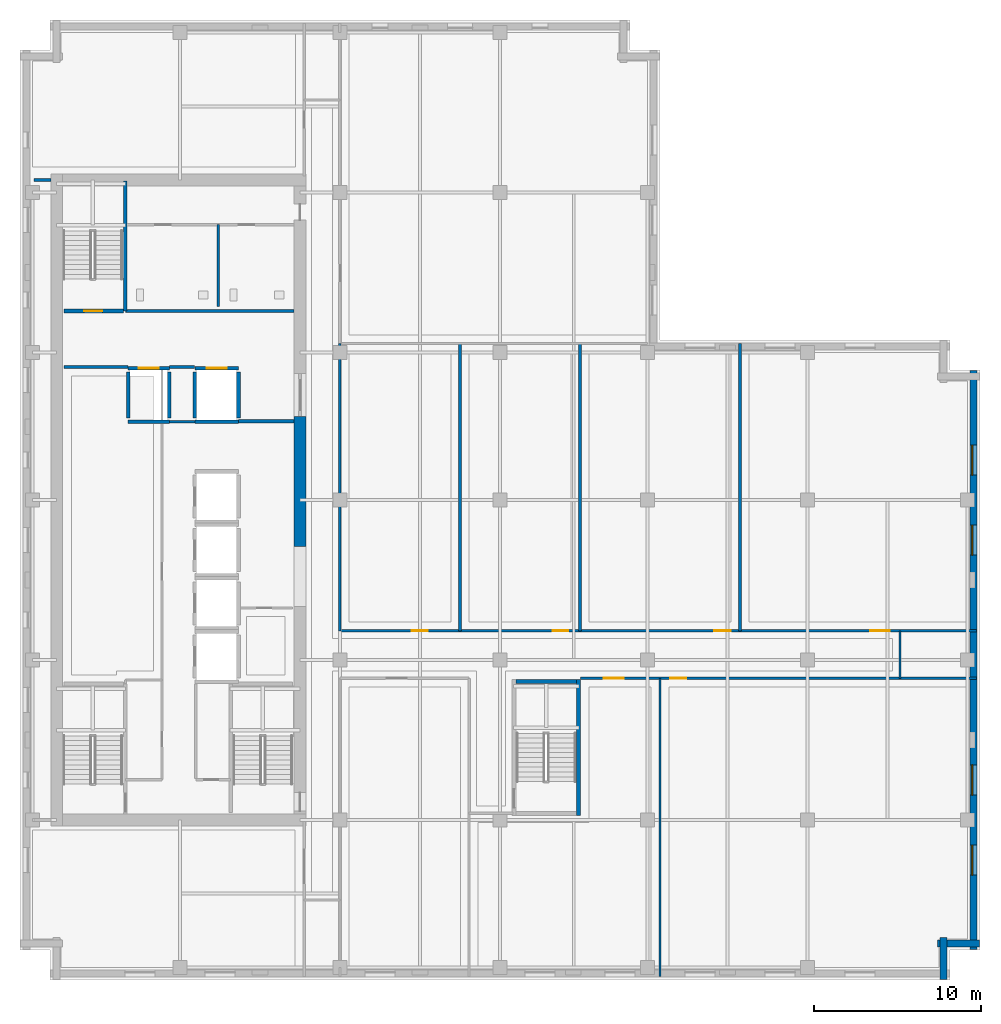
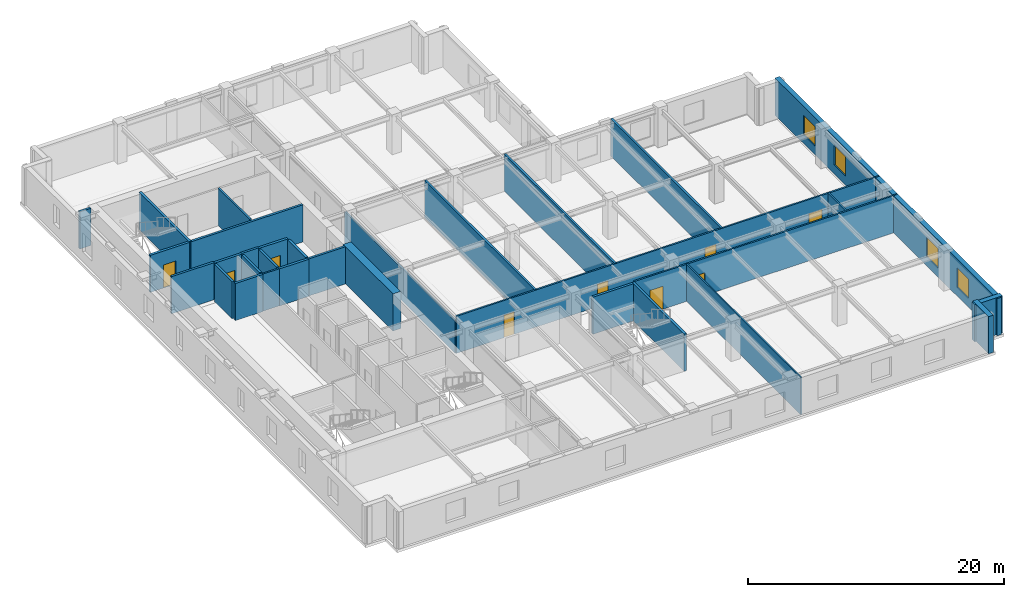
# One storey, part 5 of 11: 31 walls, 9 doors, 4 windows, 13 openings.
"""IFC4 building model written with IfcOpenShell, lengths in metres."""

from ifc_helpers import new_model, si_unit, direction, frame, frame_2d, origin, place, context, subcontext, project, spatial, rectangle, extrude, material, layer, layer_set, type_object, element, fill, save


model = new_model("IFC4")

# Units and contexts
model_context = context("Model", 3, precision=1e-05, world=origin(), true_north=direction((0.0, 1.0)))
body_context = subcontext(model_context, "Body", "Model", "MODEL_VIEW")
ifc_project = project(units=[si_unit("LENGTHUNIT", "METRE"), si_unit("AREAUNIT", "SQUARE_METRE"), si_unit("VOLUMEUNIT", "CUBIC_METRE"), si_unit("PLANEANGLEUNIT", "RADIAN"), si_unit("MASSUNIT", "GRAM", prefix="KILO")], contexts=[model_context])

# Site, building, storey
site_placement = place(None, origin())
site = spatial("IfcSite", under=ifc_project, at=site_placement, CompositionType="ELEMENT")
building_placement = place(site_placement, origin())
building = spatial("IfcBuilding", under=site, at=building_placement, Name="Norrvale University Quadrangle", CompositionType="ELEMENT")
storey_placement = place(building_placement, frame((0.0, 0.0, 210.39990234375)))
storey = spatial("IfcBuildingStorey", under=building, at=storey_placement, Name="L53", CompositionType="ELEMENT", Elevation=210.39990234375)

# Walls
ifc_material_1 = material(Name="Buff Norman Clay Brick Masonry", Category="masonry")
ifc_layer_1 = layer(ifc_material_1, 0.419921875, Name="Buff Norman Clay Brick Masonry")
ifc_layer_set_1 = layer_set([ifc_layer_1], Name="Buff Norman Clay Brick Masonry")
wall_type_1 = type_object("IfcWallType", Name="Wall Buff Brick 420", PredefinedType="SOLIDWALL", material=ifc_layer_set_1)
for number, where, z_axis, x_axis, name in (
    (1, (55.409912109375, 0.0400390625, 0.0), (0.0, 0.0, 1.0), (0.0, 1.0, 0.0), "Exterior Brick Facade Wall L53-02.1"),
    (2, (55.06005859375, 2.18994140625, 0.0), (0.0, 0.0, 1.0), (1.0, 0.0, 0.0), "Exterior Brick Facade Wall L53-03.1"),
):
    element("IfcWall", number, at=place(storey_placement, frame(where, z_axis=z_axis, x_axis=x_axis)), inside=storey, type_object=wall_type_1, Name=name, PredefinedType="SOLIDWALL", context=body_context, shape_type="SweptSolid", body=[
        extrude(rectangle(XDim=2.5, YDim=0.419921875, at=frame_2d((1.25, 0.0))), origin(), (0.0, 0.0, 1.0), 3.5400390625),
    ])

# Wall, openings, windows
wall_1_placement = place(storey_placement, frame((57.2099609375, 1.840087890625, 0.0), z_axis=(0.0, 0.0, 1.0), x_axis=(0.0, 1.0, 0.0)))
wall_1 = element("IfcWall", 3, at=wall_1_placement, inside=storey, type_object=wall_type_1, Name="Exterior Brick Facade Wall L53-04.1", PredefinedType="SOLIDWALL", context=body_context, shape_type="SweptSolid", body=[
    extrude(rectangle(XDim=34.719970703125, YDim=0.419921875, at=frame_2d((17.35986328125, 0.0))), origin(), (0.0, 0.0, 1.0), 3.5400390625),
])
opening_1_placement = place(wall_1_placement, frame((4.4599609375, 0.0, 0.85009765625)))
opening_1 = element("IfcOpeningElement", 4, at=opening_1_placement, cuts=wall_1, Name="Opening W01", PredefinedType="OPENING", context=body_context, shape_type="SweptSolid", body=[
    extrude(rectangle(XDim=1.800048828125, YDim=1.85009765625, at=frame_2d((0.89990234375, 0.925048828125))), frame((0.0, 0.221923828125, 0.0), z_axis=(0.0, -1.0, 0.0), x_axis=(1.0, 0.0, 0.0)), (0.0, 0.0, 1.0), 0.44384765625),
])
opening_2_placement = place(wall_1_placement, frame((9.260009765625, 0.0, 0.85009765625)))
opening_2 = element("IfcOpeningElement", 5, at=opening_2_placement, cuts=wall_1, Name="Opening W01", PredefinedType="OPENING", context=body_context, shape_type="SweptSolid", body=[
    extrude(rectangle(XDim=1.800048828125, YDim=1.85009765625, at=frame_2d((0.89990234375, 0.925048828125))), frame((0.0, 0.221923828125, 0.0), z_axis=(0.0, -1.0, 0.0), x_axis=(1.0, 0.0, 0.0)), (0.0, 0.0, 1.0), 0.44384765625),
])
opening_3_placement = place(wall_1_placement, frame((23.659912109375, 0.0, 0.85009765625)))
opening_3 = element("IfcOpeningElement", 6, at=opening_3_placement, cuts=wall_1, Name="Opening W01", PredefinedType="OPENING", context=body_context, shape_type="SweptSolid", body=[
    extrude(rectangle(XDim=1.800048828125, YDim=1.85009765625, at=frame_2d((0.89990234375, 0.925048828125))), frame((0.0, 0.221923828125, 0.0), z_axis=(0.0, -1.0, 0.0), x_axis=(1.0, 0.0, 0.0)), (0.0, 0.0, 1.0), 0.44384765625),
])
opening_4_placement = place(wall_1_placement, frame((28.4599609375, 0.0, 0.85009765625)))
opening_4 = element("IfcOpeningElement", 7, at=opening_4_placement, cuts=wall_1, Name="Opening W01", PredefinedType="OPENING", context=body_context, shape_type="SweptSolid", body=[
    extrude(rectangle(XDim=1.800048828125, YDim=1.85009765625, at=frame_2d((0.89990234375, 0.925048828125))), frame((0.0, 0.221923828125, 0.0), z_axis=(0.0, -1.0, 0.0), x_axis=(1.0, 0.0, 0.0)), (0.0, 0.0, 1.0), 0.44384765625),
])
ifc_material_2 = material(Name="Triple Low-E Argon Glazing", Category="glass")
window_type = type_object("IfcWindowType", Name="Window Academic 1800x2300", PartitioningType="DOUBLE_PANEL_VERTICAL", PredefinedType="WINDOW", material=ifc_material_2)
window_1_placement = place(opening_1_placement, origin())
window_1 = element("IfcWindow", 8, at=window_1_placement, inside=storey, type_object=window_type, Name="Window Academic 1800x2300 WIN-L53-E04-1-01", OverallHeight=1.85009765625, OverallWidth=1.800048828125, PartitioningType="DOUBLE_PANEL_VERTICAL", PredefinedType="WINDOW", context=body_context, shape_type="SweptSolid", body=[
    extrude(rectangle(XDim=1.800048828125, YDim=1.85009765625, at=frame_2d((0.89990234375, 0.925048828125))), frame((0.0, 0.110107421875, 0.0), z_axis=(0.0, -1.0, 0.0), x_axis=(1.0, 0.0, 0.0)), (0.0, 0.0, 1.0), 0.06005859375),
])
fill(opening_1, window_1)
window_2_placement = place(opening_2_placement, origin())
window_2 = element("IfcWindow", 9, at=window_2_placement, inside=storey, type_object=window_type, Name="Window Academic 1800x2300 WIN-L53-E04-1-02", OverallHeight=1.85009765625, OverallWidth=1.800048828125, PartitioningType="DOUBLE_PANEL_VERTICAL", PredefinedType="WINDOW", context=body_context, shape_type="SweptSolid", body=[
    extrude(rectangle(XDim=1.800048828125, YDim=1.85009765625, at=frame_2d((0.89990234375, 0.925048828125))), frame((0.0, 0.110107421875, 0.0), z_axis=(0.0, -1.0, 0.0), x_axis=(1.0, 0.0, 0.0)), (0.0, 0.0, 1.0), 0.06005859375),
])
fill(opening_2, window_2)
window_3_placement = place(opening_3_placement, origin())
window_3 = element("IfcWindow", 10, at=window_3_placement, inside=storey, type_object=window_type, Name="Window Academic 1800x2300 WIN-L53-E04-1-03", OverallHeight=1.85009765625, OverallWidth=1.800048828125, PartitioningType="DOUBLE_PANEL_VERTICAL", PredefinedType="WINDOW", context=body_context, shape_type="SweptSolid", body=[
    extrude(rectangle(XDim=1.800048828125, YDim=1.85009765625, at=frame_2d((0.89990234375, 0.925048828125))), frame((0.0, 0.110107421875, 0.0), z_axis=(0.0, -1.0, 0.0), x_axis=(1.0, 0.0, 0.0)), (0.0, 0.0, 1.0), 0.06005859375),
])
fill(opening_3, window_3)
window_4_placement = place(opening_4_placement, origin())
window_4 = element("IfcWindow", 11, at=window_4_placement, inside=storey, type_object=window_type, Name="Window Academic 1800x2300 WIN-L53-E04-1-04", OverallHeight=1.85009765625, OverallWidth=1.800048828125, PartitioningType="DOUBLE_PANEL_VERTICAL", PredefinedType="WINDOW", context=body_context, shape_type="SweptSolid", body=[
    extrude(rectangle(XDim=1.800048828125, YDim=1.85009765625, at=frame_2d((0.89990234375, 0.925048828125))), frame((0.0, 0.110107421875, 0.0), z_axis=(0.0, -1.0, 0.0), x_axis=(1.0, 0.0, 0.0)), (0.0, 0.0, 1.0), 0.06005859375),
])
fill(opening_4, window_4)

# Walls
ifc_material_3 = material(Name="Concrete C60/75", Category="concrete")
ifc_layer_2 = layer(ifc_material_3, 0.699951171875, Name="Concrete C60/75")
ifc_layer_set_2 = layer_set([ifc_layer_2], Name="Concrete C60/75")
wall_type_2 = type_object("IfcWallType", Name="Wall Core 700", PredefinedType="SHEAR", material=ifc_layer_set_2)
wall_2_placement = place(storey_placement, frame((16.800048828125, 26.0, 0.0), z_axis=(0.0, 0.0, 1.0), x_axis=(0.0, 1.0, 0.0)))
element("IfcWall", 12, at=wall_2_placement, inside=storey, type_object=wall_type_2, Name="Tower Core Shear Wall L53-E2", PredefinedType="SHEAR", context=body_context, shape_type="SweptSolid", body=[
    extrude(rectangle(XDim=7.800048828125, YDim=0.699951171875, at=frame_2d((3.89990234375, 0.0))), origin(), (0.0, 0.0, 1.0), 3.5400390625),
])
ifc_material_4 = material(Name="Standard Academic Gypsum Partition")
ifc_layer_3 = layer(ifc_material_4, 0.125, Name="Standard Academic Gypsum Partition")
ifc_layer_set_3 = layer_set([ifc_layer_3], Name="Standard Academic Gypsum Partition")
wall_type_3 = type_object("IfcWallType", Name="Wall Gypsum Academic 125", PredefinedType="PARTITIONING", material=ifc_layer_set_3)
wall_3_placement = place(storey_placement, frame((38.39990234375, 0.219970703125, 0.0), z_axis=(0.0, 0.0, 1.0), x_axis=(0.0, 1.0, 0.0)))
element("IfcWall", 13, at=wall_3_placement, inside=storey, type_object=wall_type_3, Name="Interior Partition WL-L53-SEP2", PredefinedType="PARTITIONING", context=body_context, shape_type="SweptSolid", body=[
    extrude(rectangle(XDim=17.880126953125, YDim=0.125, at=frame_2d((8.93994140625, 0.0))), origin(), (0.0, 0.0, 1.0), 3.5400390625),
])
ifc_material_5 = material(Name="Fire-Rated Gypsum Stud Partition")
ifc_layer_4 = layer(ifc_material_5, 0.14990234375, Name="Fire-Rated Gypsum Stud Partition")
ifc_layer_set_4 = layer_set([ifc_layer_4], Name="Fire-Rated Gypsum Stud Partition")
wall_type_4 = type_object("IfcWallType", Name="Wall Gypsum Corridor 150", PredefinedType="PARTITIONING", material=ifc_layer_set_4)
wall_4_placement = place(storey_placement, frame((8.965087890625, 33.489990234375, 0.0), z_axis=(0.0, 0.0, 1.0), x_axis=(1.0, 0.0, 0.0)))
element("IfcWall", 14, at=wall_4_placement, inside=storey, type_object=wall_type_4, Name="Interior Partition WL-L53-LL3", PredefinedType="PARTITIONING", context=body_context, shape_type="SweptSolid", body=[
    extrude(rectangle(XDim=1.52001953125, YDim=0.14990234375, at=frame_2d((0.760009765625, 0.0))), origin(), (0.0, 0.0, 1.0), 3.5400390625),
])
wall_5_placement = place(storey_placement, frame((52.800048828125, 18.10009765625, 0.0), z_axis=(0.0, 0.0, 1.0), x_axis=(0.0, 1.0, 0.0)))
element("IfcWall", 15, at=wall_5_placement, inside=storey, type_object=wall_type_4, Name="Interior Partition WL-L53-CESP-E", PredefinedType="PARTITIONING", context=body_context, shape_type="SweptSolid", body=[
    extrude(rectangle(XDim=2.849853515625, YDim=0.14990234375, at=frame_2d((1.4248046875, 0.0))), origin(), (0.0, 0.0, 1.0), 3.5400390625),
])

# Wall, openings, doors
wall_6_placement = place(storey_placement, frame((33.6201171875, 18.10009765625, 0.0), z_axis=(0.0, 0.0, 1.0), x_axis=(1.0, 0.0, 0.0)))
wall_6 = element("IfcWall", 16, at=wall_6_placement, inside=storey, type_object=wall_type_4, Name="Interior Partition WL-L53-SEW2", PredefinedType="PARTITIONING", context=body_context, shape_type="SweptSolid", body=[
    extrude(rectangle(XDim=23.759765625, YDim=0.14990234375, at=frame_2d((11.8798828125, 0.0))), origin(), (0.0, 0.0, 1.0), 3.5400390625),
])
opening_5_placement = place(wall_6_placement, frame((1.39990234375, 0.0, 0.0)))
opening_5 = element("IfcOpeningElement", 17, at=opening_5_placement, cuts=wall_6, Name="Opening D05", PredefinedType="OPENING", context=body_context, shape_type="SweptSolid", body=[
    extrude(rectangle(XDim=1.199951171875, YDim=2.199951171875, at=frame_2d((0.60009765625, 1.10009765625))), frame((0.0, 0.0869140625, 0.0), z_axis=(0.0, -1.0, 0.0), x_axis=(1.0, 0.0, 0.0)), (0.0, 0.0, 1.0), 0.173828125),
])
opening_6_placement = place(wall_6_placement, frame((5.39990234375, 0.0, 0.0)))
opening_6 = element("IfcOpeningElement", 18, at=opening_6_placement, cuts=wall_6, Name="Opening D07", PredefinedType="OPENING", context=body_context, shape_type="SweptSolid", body=[
    extrude(rectangle(XDim=0.949951171875, YDim=2.14990234375, at=frame_2d((0.47509765625, 1.074951171875))), frame((0.0, 0.0869140625, 0.0), z_axis=(0.0, -1.0, 0.0), x_axis=(1.0, 0.0, 0.0)), (0.0, 0.0, 1.0), 0.173828125),
])
ifc_material_6 = material(Name="Acoustic Oak Classroom Door", Category="wood")
door_type_1 = type_object("IfcDoorType", Name="Door Classroom 1200x2200", OperationType="NOTDEFINED", PredefinedType="DOOR", material=ifc_material_6)
door_1_placement = place(opening_5_placement, origin())
door_1 = element("IfcDoor", 19, at=door_1_placement, inside=storey, type_object=door_type_1, Name="Door Classroom 1200x2200 DR-L53-SE2", OperationType="SINGLE_SWING_RIGHT", OverallHeight=2.199951171875, OverallWidth=1.199951171875, PredefinedType="DOOR", context=body_context, shape_type="SweptSolid", body=[
    extrude(rectangle(XDim=1.199951171875, YDim=2.199951171875, at=frame_2d((0.60009765625, 1.10009765625))), frame((0.0, 0.02490234375, 0.0), z_axis=(0.0, -1.0, 0.0), x_axis=(1.0, 0.0, 0.0)), (0.0, 0.0, 1.0), 0.050048828125),
])
fill(opening_5, door_1)
ifc_material_7 = material(Name="Solid-Core Maple Door", Category="wood")
door_type_2 = type_object("IfcDoorType", Name="Door Office 950x2150", OperationType="NOTDEFINED", PredefinedType="DOOR", material=ifc_material_7)
door_2_placement = place(opening_6_placement, origin())
door_2 = element("IfcDoor", 20, at=door_2_placement, inside=storey, type_object=door_type_2, Name="Door Office 950x2150 DR-L53-SE3", OperationType="SINGLE_SWING_LEFT", OverallHeight=2.14990234375, OverallWidth=0.949951171875, PredefinedType="DOOR", context=body_context, shape_type="SweptSolid", body=[
    extrude(rectangle(XDim=0.949951171875, YDim=2.14990234375, at=frame_2d((0.47509765625, 1.074951171875))), frame((0.0, 0.02490234375, 0.0), z_axis=(0.0, -1.0, 0.0), x_axis=(1.0, 0.0, 0.0)), (0.0, 0.0, 1.0), 0.050048828125),
])
fill(opening_6, door_2)

wall_7_placement = place(storey_placement, frame((19.199951171875, 20.949951171875, 0.0), z_axis=(0.0, 0.0, 1.0), x_axis=(1.0, 0.0, 0.0)))
wall_7 = element("IfcWall", 21, at=wall_7_placement, inside=storey, type_object=wall_type_4, Name="Interior Partition WL-L53-MECW", PredefinedType="PARTITIONING", context=body_context, shape_type="SweptSolid", body=[
    extrude(rectangle(XDim=38.179931640625, YDim=0.14990234375, at=frame_2d((19.08984375, 0.0))), origin(), (0.0, 0.0, 1.0), 3.5400390625),
])
opening_7_placement = place(wall_7_placement, frame((4.300048828125, 0.0, 0.0)))
opening_7 = element("IfcOpeningElement", 22, at=opening_7_placement, cuts=wall_7, Name="Opening D07", PredefinedType="OPENING", context=body_context, shape_type="SweptSolid", body=[
    extrude(rectangle(XDim=0.949951171875, YDim=2.14990234375, at=frame_2d((0.47509765625, 1.074951171875))), frame((0.0, 0.0869140625, 0.0), z_axis=(0.0, -1.0, 0.0), x_axis=(1.0, 0.0, 0.0)), (0.0, 0.0, 1.0), 0.173828125),
])
opening_8_placement = place(wall_7_placement, frame((12.75, 0.0, 0.0)))
opening_8 = element("IfcOpeningElement", 23, at=opening_8_placement, cuts=wall_7, Name="Opening D07", PredefinedType="OPENING", context=body_context, shape_type="SweptSolid", body=[
    extrude(rectangle(XDim=0.949951171875, YDim=2.14990234375, at=frame_2d((0.47509765625, 1.074951171875))), frame((0.0, 0.0869140625, 0.0), z_axis=(0.0, -1.0, 0.0), x_axis=(1.0, 0.0, 0.0)), (0.0, 0.0, 1.0), 0.173828125),
])
opening_9_placement = place(wall_7_placement, frame((22.449951171875, 0.0, 0.0)))
opening_9 = element("IfcOpeningElement", 24, at=opening_9_placement, cuts=wall_7, Name="Opening D04", PredefinedType="OPENING", context=body_context, shape_type="SweptSolid", body=[
    extrude(rectangle(XDim=1.0, YDim=2.199951171875, at=frame_2d((0.5, 1.10009765625))), frame((0.0, 0.0869140625, 0.0), z_axis=(0.0, -1.0, 0.0), x_axis=(1.0, 0.0, 0.0)), (0.0, 0.0, 1.0), 0.173828125),
])
opening_10_placement = place(wall_7_placement, frame((31.800048828125, 0.0, 0.0)))
opening_10 = element("IfcOpeningElement", 25, at=opening_10_placement, cuts=wall_7, Name="Opening D05", PredefinedType="OPENING", context=body_context, shape_type="SweptSolid", body=[
    extrude(rectangle(XDim=1.199951171875, YDim=2.199951171875, at=frame_2d((0.60009765625, 1.10009765625))), frame((0.0, 0.0869140625, 0.0), z_axis=(0.0, -1.0, 0.0), x_axis=(1.0, 0.0, 0.0)), (0.0, 0.0, 1.0), 0.173828125),
])
door_3_placement = place(opening_10_placement, origin())
door_3 = element("IfcDoor", 26, at=door_3_placement, inside=storey, type_object=door_type_1, Name="Door Classroom 1200x2200 DR-L53-ME04", OperationType="SINGLE_SWING_RIGHT", OverallHeight=2.199951171875, OverallWidth=1.199951171875, PredefinedType="DOOR", context=body_context, shape_type="SweptSolid", body=[
    extrude(rectangle(XDim=1.199951171875, YDim=2.199951171875, at=frame_2d((0.60009765625, 1.10009765625))), frame((0.0, 0.02490234375, 0.0), z_axis=(0.0, -1.0, 0.0), x_axis=(1.0, 0.0, 0.0)), (0.0, 0.0, 1.0), 0.050048828125),
])
fill(opening_10, door_3)
ifc_material_8 = material(Name="Solid-Core Oak Fire Door", Category="wood")
door_type_3 = type_object("IfcDoorType", Name="Door Corridor 1000x2200", OperationType="NOTDEFINED", PredefinedType="DOOR", material=ifc_material_8)
door_4_placement = place(opening_9_placement, origin())
door_4 = element("IfcDoor", 27, at=door_4_placement, inside=storey, type_object=door_type_3, Name="Door Corridor 1000x2200 DR-L53-ME03", OperationType="SINGLE_SWING_LEFT", OverallHeight=2.199951171875, OverallWidth=1.0, PredefinedType="DOOR", context=body_context, shape_type="SweptSolid", body=[
    extrude(rectangle(XDim=1.0, YDim=2.199951171875, at=frame_2d((0.5, 1.10009765625))), frame((0.0, 0.02490234375, 0.0), z_axis=(0.0, -1.0, 0.0), x_axis=(1.0, 0.0, 0.0)), (0.0, 0.0, 1.0), 0.050048828125),
])
fill(opening_9, door_4)
door_5_placement = place(opening_7_placement, origin())
door_5 = element("IfcDoor", 28, at=door_5_placement, inside=storey, type_object=door_type_2, Name="Door Office 950x2150 DR-L53-ME01", OperationType="SINGLE_SWING_LEFT", OverallHeight=2.14990234375, OverallWidth=0.949951171875, PredefinedType="DOOR", context=body_context, shape_type="SweptSolid", body=[
    extrude(rectangle(XDim=0.949951171875, YDim=2.14990234375, at=frame_2d((0.47509765625, 1.074951171875))), frame((0.0, 0.02490234375, 0.0), z_axis=(0.0, -1.0, 0.0), x_axis=(1.0, 0.0, 0.0)), (0.0, 0.0, 1.0), 0.050048828125),
])
fill(opening_7, door_5)
door_6_placement = place(opening_8_placement, origin())
door_6 = element("IfcDoor", 29, at=door_6_placement, inside=storey, type_object=door_type_2, Name="Door Office 950x2150 DR-L53-ME02", OperationType="SINGLE_SWING_RIGHT", OverallHeight=2.14990234375, OverallWidth=0.949951171875, PredefinedType="DOOR", context=body_context, shape_type="SweptSolid", body=[
    extrude(rectangle(XDim=0.949951171875, YDim=2.14990234375, at=frame_2d((0.47509765625, 1.074951171875))), frame((0.0, 0.02490234375, 0.0), z_axis=(0.0, -1.0, 0.0), x_axis=(1.0, 0.0, 0.0)), (0.0, 0.0, 1.0), 0.050048828125),
])
fill(opening_8, door_6)

# Walls
wall_8_placement = place(storey_placement, frame((19.199951171875, 20.949951171875, 0.0), z_axis=(0.0, 0.0, 1.0), x_axis=(0.0, 1.0, 0.0)))
element("IfcWall", 30, at=wall_8_placement, inside=storey, type_object=wall_type_4, Name="Interior Partition WL-L53-ME-W", PredefinedType="PARTITIONING", context=body_context, shape_type="SweptSolid", body=[
    extrude(rectangle(XDim=17.22998046875, YDim=0.14990234375, at=frame_2d((8.614990234375, 0.0))), origin(), (0.0, 0.0, 1.0), 3.071044921875),
])
ifc_material_9 = material(Name="Acoustic Double-Stud Gypsum Partition")
ifc_layer_5 = layer(ifc_material_9, 0.179931640625, Name="Acoustic Double-Stud Gypsum Partition")
ifc_layer_set_5 = layer_set([ifc_layer_5], Name="Acoustic Double-Stud Gypsum Partition")
wall_type_5 = type_object("IfcWallType", Name="Wall Gypsum Lecture 180", PredefinedType="PARTITIONING", material=ifc_layer_set_5)
for number, where, z_axis, x_axis, name in (
    (31, (26.39990234375, 20.949951171875, 0.0), (0.0, 0.0, 1.0), (0.0, 1.0, 0.0), "Interior Partition WL-L53-MEP01"),
    (32, (33.60009765625, 20.949951171875, 0.0), (0.0, 0.0, 1.0), (0.0, 1.0, 0.0), "Interior Partition WL-L53-MEP02"),
    (33, (43.199951171875, 20.949951171875, 0.0), (0.0, 0.0, 1.0), (0.0, 1.0, 0.0), "Interior Partition WL-L53-MEP03"),
):
    element("IfcWall", number, at=place(storey_placement, frame(where, z_axis=z_axis, x_axis=x_axis)), inside=storey, type_object=wall_type_5, Name=name, PredefinedType="PARTITIONING", context=body_context, shape_type="SweptSolid", body=[
        extrude(rectangle(XDim=17.22998046875, YDim=0.179931640625, at=frame_2d((8.614990234375, 0.0))), origin(), (0.0, 0.0, 1.0), 3.5400390625),
    ])
ifc_material_10 = material(Name="Sanitary Chase Gypsum Partition")
ifc_layer_6 = layer(ifc_material_10, 0.1650390625, Name="Sanitary Chase Gypsum Partition")
ifc_layer_set_6 = layer_set([ifc_layer_6], Name="Sanitary Chase Gypsum Partition")
wall_type_6 = type_object("IfcWallType", Name="Wall Gypsum Sanitary 165", PredefinedType="PLUMBINGWALL", material=ifc_layer_set_6)
wall_9_placement = place(storey_placement, frame((11.89990234375, 40.39990234375, 0.0), z_axis=(0.0, 0.0, 1.0), x_axis=(0.0, 1.0, 0.0)))
element("IfcWall", 34, at=wall_9_placement, inside=storey, type_object=wall_type_6, Name="Interior Partition WL-L53-WCM1", PredefinedType="PLUMBINGWALL", context=body_context, shape_type="SweptSolid", body=[
    extrude(rectangle(XDim=4.920166015625, YDim=0.1650390625, at=frame_2d((2.4599609375, 0.0))), origin(), (0.0, 0.0, 1.0), 3.5400390625),
])
ifc_material_11 = material(Name="Concrete Blockwork 20 MPa Rated Wall", Category="masonry")
ifc_layer_7 = layer(ifc_material_11, 0.199951171875, Name="Concrete Blockwork 20 MPa Rated Wall")
ifc_layer_set_7 = layer_set([ifc_layer_7], Name="Concrete Blockwork 20 MPa Rated Wall")
wall_type_7 = type_object("IfcWallType", Name="Wall Lobby 200", PredefinedType="SOLIDWALL", material=ifc_layer_set_7)
wall_10_placement = place(storey_placement, frame((2.64990234375, 36.780029296875, 0.0), z_axis=(0.0, 0.0, 1.0), x_axis=(1.0, 0.0, 0.0)))
element("IfcWall", 35, at=wall_10_placement, inside=storey, type_object=wall_type_7, Name="Interior Partition WL-L53-FF1", PredefinedType="SOLIDWALL", context=body_context, shape_type="SweptSolid", body=[
    extrude(rectangle(XDim=3.830078125, YDim=0.199951171875, at=frame_2d((1.9150390625, 0.0))), origin(), (0.0, 0.0, 1.0), 3.5400390625),
])
wall_11_placement = place(storey_placement, frame((8.969970703125, 36.780029296875, 0.0), z_axis=(0.0, 0.0, 1.0), x_axis=(1.0, 0.0, 0.0)))
element("IfcWall", 36, at=wall_11_placement, inside=storey, type_object=wall_type_7, Name="Interior Partition WL-L53-FF2", PredefinedType="SOLIDWALL", context=body_context, shape_type="SweptSolid", body=[
    extrude(rectangle(XDim=1.510009765625, YDim=0.199951171875, at=frame_2d((0.7548828125, 0.0))), origin(), (0.0, 0.0, 1.0), 3.5400390625),
])
wall_12_placement = place(storey_placement, frame((13.1201171875, 33.52001953125, 0.0), z_axis=(0.0, 0.0, 1.0), x_axis=(1.0, 0.0, 0.0)))
element("IfcWall", 37, at=wall_12_placement, inside=storey, type_object=wall_type_7, Name="Interior Partition WL-L53-FF3", PredefinedType="SOLIDWALL", context=body_context, shape_type="SweptSolid", body=[
    extrude(rectangle(XDim=3.329833984375, YDim=0.199951171875, at=frame_2d((1.6650390625, 0.0))), origin(), (0.0, 0.0, 1.0), 3.5400390625),
])
wall_13_placement = place(storey_placement, frame((6.320068359375, 40.139892578125, 0.0), z_axis=(0.0, 0.0, 1.0), x_axis=(1.0, 0.0, 0.0)))
element("IfcWall", 38, at=wall_13_placement, inside=storey, type_object=wall_type_7, Name="Interior Partition WL-L53-FF4", PredefinedType="SOLIDWALL", context=body_context, shape_type="SweptSolid", body=[
    extrude(rectangle(XDim=10.1298828125, YDim=0.199951171875, at=frame_2d((5.06494140625, 0.0))), origin(), (0.0, 0.0, 1.0), 3.5400390625),
])
wall_14_placement = place(storey_placement, frame((0.85009765625, 48.0, 0.0), z_axis=(0.0, 0.0, 1.0), x_axis=(1.0, 0.0, 0.0)))
element("IfcWall", 39, at=wall_14_placement, inside=storey, type_object=wall_type_7, Name="Interior Partition WL-L53-CWRET-N", PredefinedType="SOLIDWALL", context=body_context, shape_type="SweptSolid", body=[
    extrude(rectangle(XDim=0.994873046875, YDim=0.199951171875, at=frame_2d((0.49755859375, 0.0))), origin(), (0.0, 0.0, 1.0), 3.5400390625),
])

# Wall, opening, door
ifc_material_12 = material(Name="Concrete Blockwork 20 MPa Fire Shaft", Category="masonry")
ifc_layer_8 = layer(ifc_material_12, 0.219970703125, Name="Concrete Blockwork 20 MPa Fire Shaft")
ifc_layer_set_8 = layer_set([ifc_layer_8], Name="Concrete Blockwork 20 MPa Fire Shaft")
wall_type_8 = type_object("IfcWallType", Name="Wall Shaft 220", PredefinedType="SOLIDWALL", material=ifc_layer_set_8)
wall_15_placement = place(storey_placement, frame((2.64990234375, 40.139892578125, 0.0), z_axis=(0.0, 0.0, 1.0), x_axis=(1.0, 0.0, 0.0)))
wall_15 = element("IfcWall", 40, at=wall_15_placement, inside=storey, type_object=wall_type_8, Name="Stair ST-02 South Shaft Wall L53", PredefinedType="SOLIDWALL", context=body_context, shape_type="SweptSolid", body=[
    extrude(rectangle(XDim=3.550048828125, YDim=0.219970703125, at=frame_2d((1.77490234375, 0.0))), origin(), (0.0, 0.0, 1.0), 3.5400390625),
])
opening_11_placement = place(wall_15_placement, frame((1.199951171875, 0.0, 0.0)))
opening_11 = element("IfcOpeningElement", 41, at=opening_11_placement, cuts=wall_15, Name="Opening D02", PredefinedType="OPENING", context=body_context, shape_type="SweptSolid", body=[
    extrude(rectangle(XDim=1.10009765625, YDim=2.199951171875, at=frame_2d((0.550048828125, 1.10009765625))), frame((0.0, 0.1220703125, 0.0), z_axis=(0.0, -1.0, 0.0), x_axis=(1.0, 0.0, 0.0)), (0.0, 0.0, 1.0), 0.243896484375),
])
ifc_material_13 = material(Name="Hollow Steel 350W Fire Door", Category="steel")
door_type_4 = type_object("IfcDoorType", Name="Door Stair Exit 1100x2200", OperationType="NOTDEFINED", PredefinedType="DOOR", material=ifc_material_13)
door_7_placement = place(opening_11_placement, origin())
door_7 = element("IfcDoor", 42, at=door_7_placement, inside=storey, type_object=door_type_4, Name="Door Stair Exit 1100x2200 DR-L53-ST02", OperationType="SINGLE_SWING_LEFT", OverallHeight=2.199951171875, OverallWidth=1.10009765625, PredefinedType="DOOR", context=body_context, shape_type="SweptSolid", body=[
    extrude(rectangle(XDim=1.10009765625, YDim=2.199951171875, at=frame_2d((0.550048828125, 1.10009765625))), frame((0.0, 0.02490234375, 0.0), z_axis=(0.0, -1.0, 0.0), x_axis=(1.0, 0.0, 0.0)), (0.0, 0.0, 1.0), 0.050048828125),
])
fill(opening_11, door_7)

# Walls
wall_16_placement = place(storey_placement, frame((6.31005859375, 40.139892578125, 0.0), z_axis=(0.0, 0.0, 1.0), x_axis=(0.0, 1.0, 0.0)))
element("IfcWall", 43, at=wall_16_placement, inside=storey, type_object=wall_type_8, Name="Stair ST-02 East Shaft Wall L53", PredefinedType="SOLIDWALL", context=body_context, shape_type="SweptSolid", body=[
    extrude(rectangle(XDim=7.81005859375, YDim=0.219970703125, at=frame_2d((3.905029296875, 0.0))), origin(), (0.0, 0.0, 1.0), 3.5400390625),
])
wall_17_placement = place(storey_placement, frame((33.510009765625, 9.8798828125, 0.0), z_axis=(0.0, 0.0, 1.0), x_axis=(0.0, 1.0, 0.0)))
element("IfcWall", 44, at=wall_17_placement, inside=storey, type_object=wall_type_8, Name="Stair ST-04 East Shaft Wall L53", PredefinedType="SOLIDWALL", context=body_context, shape_type="SweptSolid", body=[
    extrude(rectangle(XDim=8.14013671875, YDim=0.219970703125, at=frame_2d((4.070068359375, 0.0))), origin(), (0.0, 0.0, 1.0), 3.5400390625),
])
wall_18_placement = place(storey_placement, frame((29.75, 17.909912109375, 0.0), z_axis=(0.0, 0.0, 1.0), x_axis=(1.0, 0.0, 0.0)))
element("IfcWall", 45, at=wall_18_placement, inside=storey, type_object=wall_type_8, Name="Stair ST-04 North Shaft Wall L53", PredefinedType="SOLIDWALL", context=body_context, shape_type="SweptSolid", body=[
    extrude(rectangle(XDim=3.64990234375, YDim=0.219970703125, at=frame_2d((1.824951171875, 0.0))), origin(), (0.0, 0.0, 1.0), 3.5400390625),
])
for number, where, z_axis, x_axis, name in (
    (46, (6.489990234375, 33.7099609375, 0.0), (0.0, 0.0, 1.0), (0.0, 1.0, 0.0), "Hoistway FFL-01 West Wall L53"),
    (47, (8.9599609375, 33.7099609375, 0.0), (0.0, 0.0, 1.0), (0.0, 1.0, 0.0), "Hoistway FFL-01 East Wall L53"),
):
    element("IfcWall", number, at=place(storey_placement, frame(where, z_axis=z_axis, x_axis=x_axis)), inside=storey, type_object=wall_type_8, Name=name, PredefinedType="SOLIDWALL", context=body_context, shape_type="SweptSolid", body=[
        extrude(rectangle(XDim=2.780029296875, YDim=0.219970703125, at=frame_2d((1.39013671875, 0.0))), origin(), (0.0, 0.0, 1.0), 3.5400390625),
    ])
wall_19_placement = place(storey_placement, frame((6.489990234375, 33.489990234375, 0.0), z_axis=(0.0, 0.0, 1.0), x_axis=(1.0, 0.0, 0.0)))
element("IfcWall", 48, at=wall_19_placement, inside=storey, type_object=wall_type_8, Name="Hoistway FFL-01 South Wall L53", PredefinedType="SOLIDWALL", context=body_context, shape_type="SweptSolid", body=[
    extrude(rectangle(XDim=2.469970703125, YDim=0.219970703125, at=frame_2d((1.23486328125, 0.0))), origin(), (0.0, 0.0, 1.0), 3.5400390625),
])

# Wall, opening, door
wall_20_placement = place(storey_placement, frame((6.489990234375, 36.7099609375, 0.0), z_axis=(0.0, 0.0, 1.0), x_axis=(1.0, 0.0, 0.0)))
wall_20 = element("IfcWall", 49, at=wall_20_placement, inside=storey, type_object=wall_type_8, Name="Hoistway FFL-01 North Wall L53", PredefinedType="SOLIDWALL", context=body_context, shape_type="SweptSolid", body=[
    extrude(rectangle(XDim=2.469970703125, YDim=0.219970703125, at=frame_2d((1.23486328125, 0.0))), origin(), (0.0, 0.0, 1.0), 3.5400390625),
])
opening_12_placement = place(wall_20_placement, frame((0.635009765625, 0.0, 0.0)))
opening_12 = element("IfcOpeningElement", 50, at=opening_12_placement, cuts=wall_20, Name="Opening LD2", PredefinedType="OPENING", context=body_context, shape_type="SweptSolid", body=[
    extrude(rectangle(XDim=1.199951171875, YDim=2.199951171875, at=frame_2d((0.60009765625, 1.10009765625))), frame((0.0, 0.1220703125, 0.0), z_axis=(0.0, -1.0, 0.0), x_axis=(1.0, 0.0, 0.0)), (0.0, 0.0, 1.0), 0.243896484375),
])
ifc_material_14 = material(Name="Stainless Steel 316L Firefighter Lift Door", Category="steel")
door_type_5 = type_object("IfcDoorType", Name="Door Fire Lift 1200x2200", OperationType="DOUBLE_DOOR_SLIDING", PredefinedType="DOOR", material=ifc_material_14)
door_8_placement = place(opening_12_placement, origin())
door_8 = element("IfcDoor", 51, at=door_8_placement, inside=storey, type_object=door_type_5, Name="Elevator Landing Door DR-L53-FFL-01", OperationType="DOUBLE_DOOR_SLIDING", OverallHeight=2.199951171875, OverallWidth=1.199951171875, PredefinedType="DOOR", context=body_context, shape_type="SweptSolid", body=[
    extrude(rectangle(XDim=1.199951171875, YDim=2.199951171875, at=frame_2d((0.60009765625, 1.10009765625))), frame((0.0, 0.02490234375, 0.0), z_axis=(0.0, -1.0, 0.0), x_axis=(1.0, 0.0, 0.0)), (0.0, 0.0, 1.0), 0.050048828125),
])
fill(opening_12, door_8)

# Walls
for number, where, z_axis, x_axis, name in (
    (52, (10.489990234375, 33.7099609375, 0.0), (0.0, 0.0, 1.0), (0.0, 1.0, 0.0), "Hoistway FFL-02 West Wall L53"),
    (53, (13.110107421875, 33.7099609375, 0.0), (0.0, 0.0, 1.0), (0.0, 1.0, 0.0), "Hoistway FFL-02 East Wall L53"),
):
    element("IfcWall", number, at=place(storey_placement, frame(where, z_axis=z_axis, x_axis=x_axis)), inside=storey, type_object=wall_type_8, Name=name, PredefinedType="SOLIDWALL", context=body_context, shape_type="SweptSolid", body=[
        extrude(rectangle(XDim=2.780029296875, YDim=0.219970703125, at=frame_2d((1.39013671875, 0.0))), origin(), (0.0, 0.0, 1.0), 3.5400390625),
    ])
wall_21_placement = place(storey_placement, frame((10.489990234375, 33.489990234375, 0.0), z_axis=(0.0, 0.0, 1.0), x_axis=(1.0, 0.0, 0.0)))
element("IfcWall", 54, at=wall_21_placement, inside=storey, type_object=wall_type_8, Name="Hoistway FFL-02 South Wall L53", PredefinedType="SOLIDWALL", context=body_context, shape_type="SweptSolid", body=[
    extrude(rectangle(XDim=2.6201171875, YDim=0.219970703125, at=frame_2d((1.31005859375, 0.0))), origin(), (0.0, 0.0, 1.0), 3.5400390625),
])

# Wall, opening, door
wall_22_placement = place(storey_placement, frame((10.489990234375, 36.7099609375, 0.0), z_axis=(0.0, 0.0, 1.0), x_axis=(1.0, 0.0, 0.0)))
wall_22 = element("IfcWall", 55, at=wall_22_placement, inside=storey, type_object=wall_type_8, Name="Hoistway FFL-02 North Wall L53", PredefinedType="SOLIDWALL", context=body_context, shape_type="SweptSolid", body=[
    extrude(rectangle(XDim=2.6201171875, YDim=0.219970703125, at=frame_2d((1.31005859375, 0.0))), origin(), (0.0, 0.0, 1.0), 3.5400390625),
])
opening_13_placement = place(wall_22_placement, frame((0.7099609375, 0.0, 0.0)))
opening_13 = element("IfcOpeningElement", 56, at=opening_13_placement, cuts=wall_22, Name="Opening LD2", PredefinedType="OPENING", context=body_context, shape_type="SweptSolid", body=[
    extrude(rectangle(XDim=1.199951171875, YDim=2.199951171875, at=frame_2d((0.60009765625, 1.10009765625))), frame((0.0, 0.1220703125, 0.0), z_axis=(0.0, -1.0, 0.0), x_axis=(1.0, 0.0, 0.0)), (0.0, 0.0, 1.0), 0.243896484375),
])
door_9_placement = place(opening_13_placement, origin())
door_9 = element("IfcDoor", 57, at=door_9_placement, inside=storey, type_object=door_type_5, Name="Elevator Landing Door DR-L53-FFL-02", OperationType="DOUBLE_DOOR_SLIDING", OverallHeight=2.199951171875, OverallWidth=1.199951171875, PredefinedType="DOOR", context=body_context, shape_type="SweptSolid", body=[
    extrude(rectangle(XDim=1.199951171875, YDim=2.199951171875, at=frame_2d((0.60009765625, 1.10009765625))), frame((0.0, 0.02490234375, 0.0), z_axis=(0.0, -1.0, 0.0), x_axis=(1.0, 0.0, 0.0)), (0.0, 0.0, 1.0), 0.050048828125),
])
fill(opening_13, door_9)

save(model, "model.ifc")
